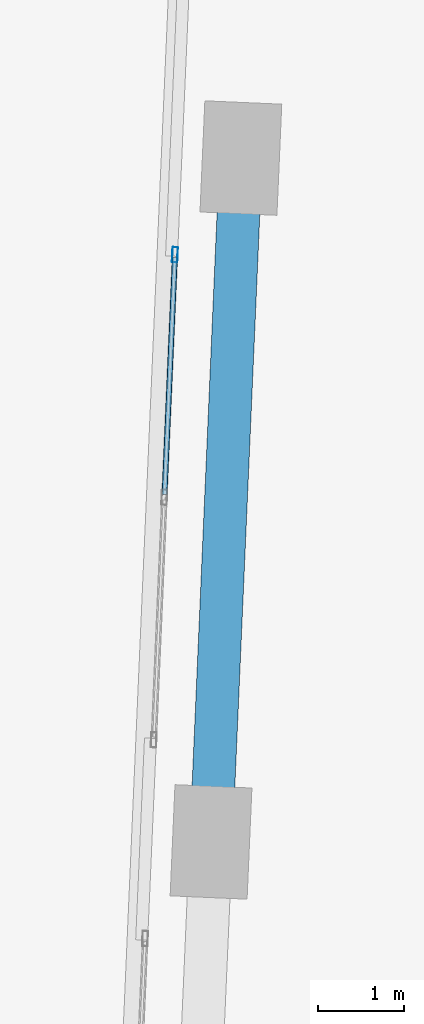
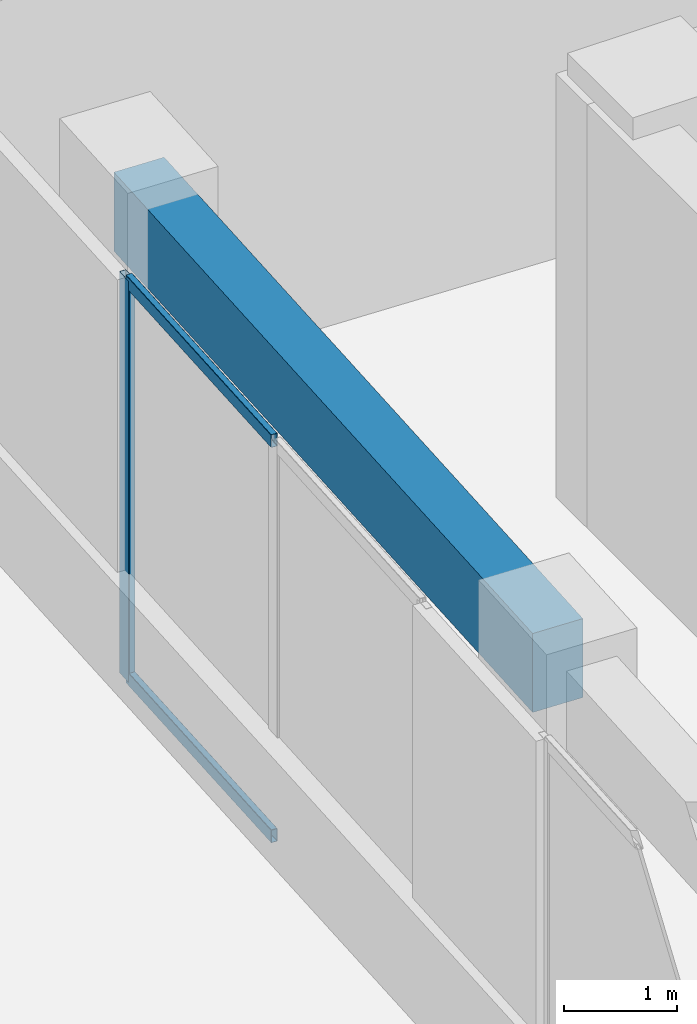
# One storey, part 9 of 33: 3 members, 1 beam, 1 element without a shape of its own.
"""IFC4 building model written with IfcOpenShell, lengths in metres."""

from ifc_helpers import new_model, si_unit, direction, frame, origin, origin_2d, place, context, subcontext, project, spatial, rectangle, hollow_rectangle, extrude, source, transform, mapped, material, material_profile, profile_set, type_object, element, aggregate, save


model = new_model("IFC4")

# Units and contexts
model_context = context("Model", 3, precision=1e-05, world=origin(), true_north=direction((0.0, 1.0)))
body_context = subcontext(model_context, "Body", "Model", "MODEL_VIEW")
ifc_project = project(units=[si_unit("LENGTHUNIT", "METRE"), si_unit("AREAUNIT", "SQUARE_METRE"), si_unit("VOLUMEUNIT", "CUBIC_METRE"), si_unit("PLANEANGLEUNIT", "RADIAN"), si_unit("MASSUNIT", "GRAM", prefix="KILO")], contexts=[model_context])

# Site, building, storey
site_placement = place(None, origin())
site = spatial("IfcSite", under=ifc_project, at=site_placement, CompositionType="ELEMENT")
building_placement = place(site_placement, origin())
building = spatial("IfcBuilding", under=site, at=building_placement, Name="Torre Montelarca", CompositionType="ELEMENT")
storey_placement = place(building_placement, frame((0.0, 0.0, 32.800048828125)))
storey = spatial("IfcBuildingStorey", under=building, at=storey_placement, Name="L07", CompositionType="ELEMENT", Elevation=32.800048828125)

# Beam
ifc_material_1 = material(Name="Concrete C55/67", Category="concrete")
ifc_material_profile_1 = material_profile(ifc_material_1, rectangle(XDim=0.5, YDim=0.85009765625, at=origin_2d()), Name="RCB500X850", Category="concrete")
ifc_profile_set_1 = profile_set([ifc_material_profile_1], Name="Concrete C55/67")
beam_type = type_object("IfcBeamType", Name="BM-SP-RC850-EXT", PredefinedType="SPANDREL", material=ifc_profile_set_1)
shared_shape_1 = source(origin(), body_context, "Body", "SweptSolid", [
    extrude(rectangle(XDim=0.5, YDim=0.85009765625, at=origin_2d()), origin(), (0.0, 0.0, 1.0), 7.999755859375),
])
beam_placement = place(storey_placement, frame((4.666015625, 32.735107421875, 4.135009765625), z_axis=(0.043610717544, 0.999048600077, 0.0), x_axis=(-0.999048600077, 0.043610717544, 0.0)))
element("IfcBeam", 1, at=beam_placement, inside=storey, type_object=beam_type, Name="L07 Grid Girder Y 32.0-40.0 at X=4.7", PredefinedType="SPANDREL", context=body_context, shape_type="MappedRepresentation", body=[
    mapped(shared_shape_1, transform((0.0, 0.0, 0.0), scale=1.0)),
])

# Curtain wall, members
ifc_material_2 = material(Name="Insulated low-E laminated glass", Category="glass")
curtain_wall_type = type_object("IfcCurtainWallType", Name="CW-SYS-Z1", PredefinedType="USERDEFINED", material=ifc_material_2)
curtain_wall_placement = place(storey_placement, origin())
curtain_wall = element("IfcCurtainWall", 2, at=curtain_wall_placement, inside=storey, type_object=curtain_wall_type, Name="L07 Curtain Wall Run CW-T3-L07-E10-B1", ObjectType="UNITISED GLAZING", PredefinedType="USERDEFINED")
ifc_material_3 = material(Name="Anodised aluminium AA 6063-T6", Category="aluminium")
ifc_material_profile_2 = material_profile(ifc_material_3, hollow_rectangle(XDim=0.06494140625, YDim=0.179931640625, WallThickness=0.00390625, InnerFilletRadius=0.00390625, OuterFilletRadius=0.008056640625, at=origin_2d()), Name="ALU65X180X4", Category="aluminium")
ifc_profile_set_2 = profile_set([ifc_material_profile_2], Name="Anodised aluminium AA 6063-T6")
member_type_1 = type_object("IfcMemberType", Name="CWM-ALU180", PredefinedType="MULLION", material=ifc_profile_set_2)
shared_shape_2 = source(origin(), body_context, "Body", "SweptSolid", [
    extrude(hollow_rectangle(XDim=0.06494140625, YDim=0.179931640625, WallThickness=0.00390625, InnerFilletRadius=0.00390625, OuterFilletRadius=0.008056640625, at=origin_2d()), origin(), (0.0, 0.0, 1.0), 4.320068359375),
])
member_1_placement = place(storey_placement, frame((4.244873046875, 39.597412109375, 0.0), z_axis=(0.0, 0.0, 1.0), x_axis=(0.999048054881, -0.043623205266, 0.0)))
member_1 = element("IfcMember", 3, at=member_1_placement, type_object=member_type_1, Name="CW mullion 1", PredefinedType="MULLION", context=body_context, shape_type="MappedRepresentation", body=[
    mapped(shared_shape_2, transform((0.0, 0.0, 0.0), scale=1.0)),
])
ifc_material_profile_3 = material_profile(ifc_material_3, hollow_rectangle(XDim=0.06494140625, YDim=0.139892578125, WallThickness=0.00390625, InnerFilletRadius=0.00390625, OuterFilletRadius=0.008056640625, at=origin_2d()), Name="ALU65X140X4", Category="aluminium")
ifc_profile_set_3 = profile_set([ifc_material_profile_3], Name="Anodised aluminium AA 6063-T6")
member_type_2 = type_object("IfcMemberType", Name="CWT-ALU140", PredefinedType="USERDEFINED", material=ifc_profile_set_3)
shared_shape_3 = source(origin(), body_context, "Body", "SweptSolid", [
    extrude(hollow_rectangle(XDim=0.06494140625, YDim=0.139892578125, WallThickness=0.00390625, InnerFilletRadius=0.00390625, OuterFilletRadius=0.008056640625, at=origin_2d()), origin(), (0.0, 0.0, 1.0), 2.7724609375),
])
member_2_placement = place(storey_placement, frame((4.24365234375, 39.56494140625, 0.032470703125), z_axis=(-0.043677976928, -0.999045661785, 0.0), x_axis=(0.999045661785, -0.043677976928, 0.0)))
member_2 = element("IfcMember", 4, at=member_2_placement, type_object=member_type_2, Name="CW transom 1.1", ObjectType="TRANSOM", PredefinedType="USERDEFINED", context=body_context, shape_type="MappedRepresentation", body=[
    mapped(shared_shape_3, transform((0.0, 0.0, 0.0), scale=1.0)),
])
member_3_placement = place(storey_placement, frame((4.24365234375, 39.56494140625, 4.287353515625), z_axis=(-0.043677976928, -0.999045661785, 0.0), x_axis=(0.999045661785, -0.043677976928, 0.0)))
member_3 = element("IfcMember", 5, at=member_3_placement, type_object=member_type_2, Name="CW transom 1.2", ObjectType="TRANSOM", PredefinedType="USERDEFINED", context=body_context, shape_type="MappedRepresentation", body=[
    mapped(shared_shape_3, transform((0.0, 0.0, 0.0), scale=1.0)),
])
aggregate(curtain_wall, [member_1, member_2, member_3])

save(model, "model.ifc")
